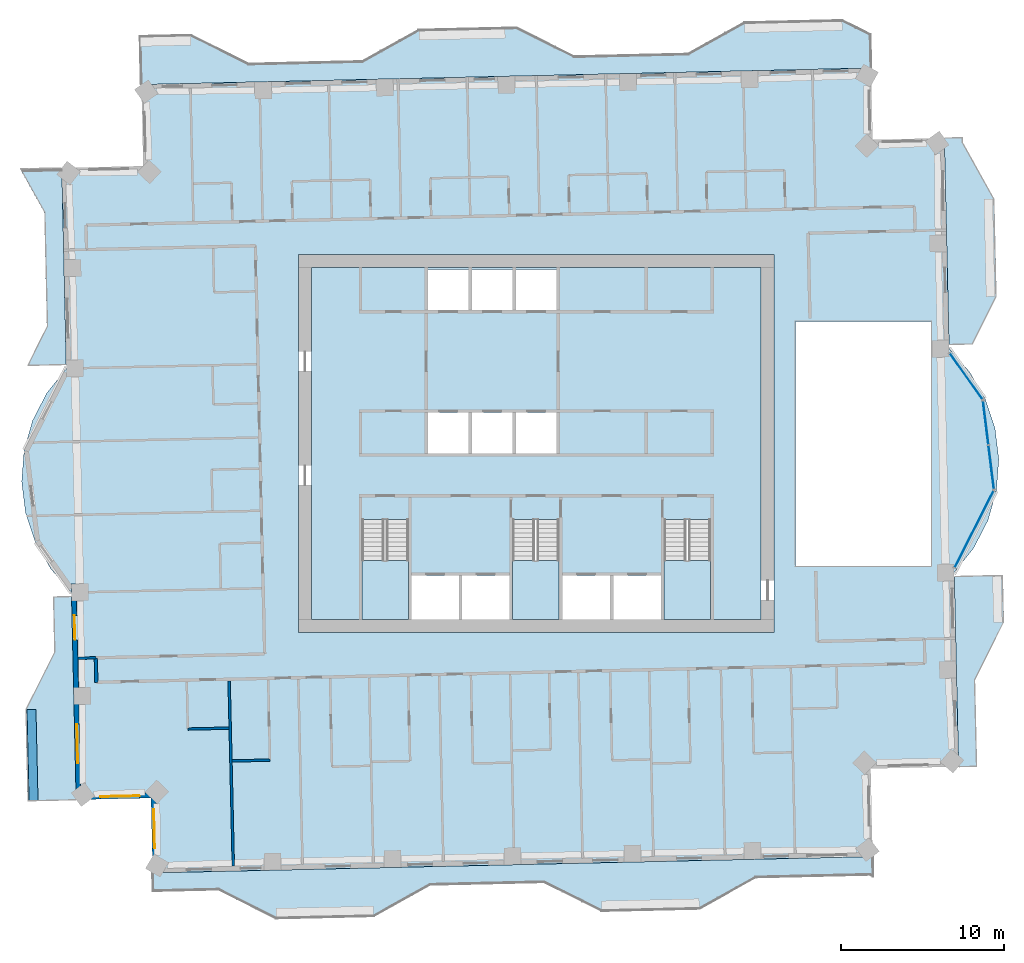
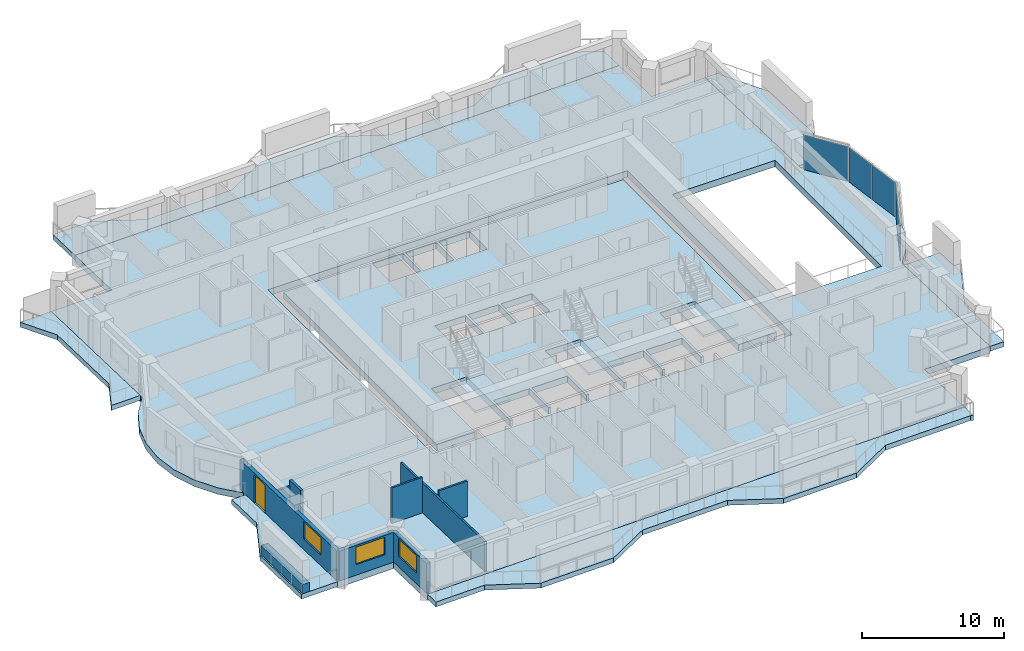
# One storey, part 5 of 17: 11 slabs, 9 walls, 4 plates, 3 windows, 1 door, 4 openings, 6 elements without a shape of their own.
"""IFC4 building model written with IfcOpenShell, lengths in metres."""

from ifc_helpers import new_model, si_unit, direction, frame, frame_2d, origin, origin_2d, place, context, subcontext, project, spatial, polyline, rectangle, outline, extrude, material, layer, layer_set, type_object, element, fill, aggregate, save


model = new_model("IFC4")

# Units and contexts
model_context = context("Model", 3, precision=1e-05, world=origin(), true_north=direction((0.0, 1.0)))
body_context = subcontext(model_context, "Body", "Model", "MODEL_VIEW")
ifc_project = project(units=[si_unit("LENGTHUNIT", "METRE"), si_unit("AREAUNIT", "SQUARE_METRE"), si_unit("VOLUMEUNIT", "CUBIC_METRE"), si_unit("PLANEANGLEUNIT", "RADIAN"), si_unit("MASSUNIT", "GRAM", prefix="KILO")], contexts=[model_context])

# Site, building, storey
site_placement = place(None, origin())
site = spatial("IfcSite", under=ifc_project, at=site_placement, CompositionType="ELEMENT")
building_placement = place(site_placement, origin())
building = spatial("IfcBuilding", under=site, at=building_placement, Name="Mangrove Gate Tower", CompositionType="ELEMENT")
storey_placement = place(building_placement, frame((0.0, 0.0, 245.5)))
storey = spatial("IfcBuildingStorey", under=building, at=storey_placement, Name="L62", CompositionType="ELEMENT", Elevation=245.5)

# Curtain wall, plate
ifc_material_1 = material(Name="Aluminium and glass curtain wall", Category="aluminium")
curtain_wall_type = type_object("IfcCurtainWallType", Name="Atrium garden-court glazing wall", PredefinedType="NOTDEFINED", material=ifc_material_1)
curtain_wall_1_placement = place(storey_placement, origin())
curtain_wall_1 = element("IfcCurtainWall", 1, at=curtain_wall_1_placement, inside=storey, type_object=curtain_wall_type, Name="Atrium garden-court glazing E1f1", PredefinedType="NOTDEFINED")
ifc_material_2 = material(Name="Laminated low-e glass", Category="glass")
ifc_layer_1 = layer(ifc_material_2, 0.031982421875)
ifc_layer_set_1 = layer_set([ifc_layer_1], Name="Atrium garden-court glazing panel 32")
plate_type = type_object("IfcPlateType", Name="Atrium garden-court glazing panel 32", PredefinedType="CURTAIN_PANEL", material=ifc_layer_set_1)
plate_1_placement = place(storey_placement, frame((26.87890625, -5.256591796875, 0.0), z_axis=(0.0, 0.0, 1.0), x_axis=(0.452597795636, 0.891714772439, 0.0)))
plate_1 = element("IfcPlate", 2, at=plate_1_placement, type_object=plate_type, Name="CWA panel 1.1", PredefinedType="CURTAIN_PANEL", context=body_context, shape_type="SweptSolid", body=[
    extrude(rectangle(XDim=5.258056640625, YDim=0.031982421875, at=origin_2d()), origin(), (0.0, 0.0, 1.0), 2.97998046875),
])
aggregate(curtain_wall_1, [plate_1])

# Curtain wall, plates
curtain_wall_2_placement = place(storey_placement, origin())
curtain_wall_2 = element("IfcCurtainWall", 3, at=curtain_wall_2_placement, inside=storey, type_object=curtain_wall_type, Name="Atrium garden-court glazing E1f2", PredefinedType="NOTDEFINED")
plate_2_placement = place(storey_placement, frame((27.92822265625, -1.449462890625, 0.0), z_axis=(0.0, 0.0, 1.0), x_axis=(-0.122172285885, 0.992508908051, 0.0)))
plate_2 = element("IfcPlate", 4, at=plate_2_placement, type_object=plate_type, Name="CWA panel 1.1", PredefinedType="CURTAIN_PANEL", context=body_context, shape_type="SweptSolid", body=[
    extrude(rectangle(XDim=2.681640625, YDim=0.031982421875, at=origin_2d()), origin(), (0.0, 0.0, 1.0), 2.97998046875),
])
plate_3_placement = place(storey_placement, frame((27.592041015625, 1.281494140625, 0.0), z_axis=(0.0, 0.0, 1.0), x_axis=(-0.122172285885, 0.992508908051, 0.0)))
plate_3 = element("IfcPlate", 5, at=plate_3_placement, type_object=plate_type, Name="CWA panel 2.1", PredefinedType="CURTAIN_PANEL", context=body_context, shape_type="SweptSolid", body=[
    extrude(rectangle(XDim=2.681640625, YDim=0.031982421875, at=origin_2d()), origin(), (0.0, 0.0, 1.0), 2.97998046875),
])
aggregate(curtain_wall_2, [plate_2, plate_3])

# Curtain wall, plate
curtain_wall_3_placement = place(storey_placement, origin())
curtain_wall_3 = element("IfcCurtainWall", 6, at=curtain_wall_3_placement, inside=storey, type_object=curtain_wall_type, Name="Atrium garden-court glazing E1f3", PredefinedType="NOTDEFINED")
plate_4_placement = place(storey_placement, frame((26.38818359375, 4.1376953125, 0.0), z_axis=(0.0, 0.0, 1.0), x_axis=(-0.578120908245, 0.815951110944, 0.0)))
plate_4 = element("IfcPlate", 7, at=plate_4_placement, type_object=plate_type, Name="CWA panel 1.1", PredefinedType="CURTAIN_PANEL", context=body_context, shape_type="SweptSolid", body=[
    extrude(rectangle(XDim=3.4287109375, YDim=0.031982421875, at=origin_2d()), origin(), (0.0, 0.0, 1.0), 2.97998046875),
])
aggregate(curtain_wall_3, [plate_4])

# Slabs
ifc_material_3 = material(Name="Porcelain tile")
ifc_layer_2 = layer(ifc_material_3, 0.02001953125, Name="Tile finish")
ifc_material_4 = material(Name="Cement sand screed")
ifc_layer_3 = layer(ifc_material_4, 0.0400390625, Name="Screed laid to falls")
ifc_material_5 = material(Name="Bituminous waterproofing membrane")
ifc_layer_4 = layer(ifc_material_5, 0.00390625, Name="Waterproofing")
ifc_material_6 = material(Name="Concrete C40/50", Category="concrete")
ifc_layer_5 = layer(ifc_material_6, 0.340087890625, Name="Balcony structural slab")
ifc_material_7 = material(Name="Limestone", Category="masonry")
ifc_layer_6 = layer(ifc_material_7, 0.01611328125, Name="Soffit lining")
ifc_layer_set_2 = layer_set([ifc_layer_2, ifc_layer_3, ifc_layer_4, ifc_layer_5, ifc_layer_6], Name="Balcony slab 420 C40/50")
slab_type_1 = type_object("IfcSlabType", Name="Balcony slab 420 C40/50", PredefinedType="FLOOR", material=ifc_layer_set_2)
slab_1_placement = place(storey_placement, frame((0.0, 0.0, -0.419921875)))
element("IfcSlab", 8, at=slab_1_placement, inside=storey, type_object=slab_type_1, Name="BALCONY L62 E0", PredefinedType="FLOOR", context=body_context, shape_type="SweptSolid", body=[
    extrude(outline(polyline([(27.06298828125, -19.803955078125), (26.943115234375, -14.506103515625), (28.712890625, -10.965087890625), (28.64794921875, -8.091064453125), (25.658935546875, -8.158935546875), (25.72412109375, -11.032958984375), (25.802978515625, -14.531982421875), (25.924072265625, -19.830078125), (27.06298828125, -19.803955078125)])), origin(), (0.0, 0.0, 1.0), 0.419921875),
])
slab_2_placement = place(storey_placement, frame((0.0, 0.0, -0.419921875)))
element("IfcSlab", 9, at=slab_2_placement, inside=storey, type_object=slab_type_1, Name="BALCONY L62 E1", PredefinedType="FLOOR", context=body_context, shape_type="SweptSolid", body=[
    extrude(outline(polyline([(26.805908203125, 6.1220703125), (28.259033203125, 9.030029296875), (28.123046875, 15.029052734375), (26.194091796875, 18.486083984375), (26.18798828125, 18.785888671875), (25.048095703125, 18.760009765625), (25.054931640625, 18.4599609375), (25.134033203125, 14.9609375), (25.27001953125, 8.9619140625), (25.3349609375, 6.087890625), (26.805908203125, 6.1220703125)])), origin(), (0.0, 0.0, 1.0), 0.419921875),
])
slab_3_placement = place(storey_placement, frame((0.0, 0.0, -0.419921875)))
element("IfcSlab", 10, at=slab_3_placement, inside=storey, type_object=slab_type_1, Name="BALCONY L62 N0", PredefinedType="FLOOR", context=body_context, shape_type="SweptSolid", body=[
    extrude(outline(polyline([(20.501953125, 25.14794921875), (18.778076171875, 26.009033203125), (12.779052734375, 25.873046875), (9.322021484375, 23.944091796875), (2.323974609375, 23.785888671875), (-1.217041015625, 25.555908203125), (-7.216064453125, 25.419921875), (-10.673095703125, 23.490966796875), (-17.6708984375, 23.3330078125), (-21.2119140625, 25.10205078125), (-24.31494140625, 25.031982421875), (-24.2470703125, 22.0419921875), (-7.14794921875, 22.429931640625), (-1.84912109375, 22.551025390625), (-1.14892578125, 22.56591796875), (20.549072265625, 23.05908203125), (20.501953125, 25.14794921875)])), origin(), (0.0, 0.0, 1.0), 0.419921875),
])
slab_4_placement = place(storey_placement, frame((0.0, 0.0, -0.419921875)))
element("IfcSlab", 11, at=slab_4_placement, inside=storey, type_object=slab_type_1, Name="BALCONY L62 W0", PredefinedType="FLOOR", context=body_context, shape_type="SweptSolid", body=[
    extrude(outline(polyline([(-31.698974609375, 16.8720703125), (-30.2109375, 14.205078125), (-30.052001953125, 7.20703125), (-31.2529296875, 4.803955078125), (-28.85888671875, 4.85888671875), (-28.9130859375, 7.23291015625), (-29.071044921875, 14.23095703125), (-29.133056640625, 16.929931640625), (-31.698974609375, 16.8720703125)])), origin(), (0.0, 0.0, 1.0), 0.419921875),
])
slab_5_placement = place(storey_placement, frame((0.0, 0.0, -0.419921875)))
element("IfcSlab", 12, at=slab_5_placement, inside=storey, type_object=slab_type_1, Name="BALCONY L62 W1", PredefinedType="FLOOR", context=body_context, shape_type="SweptSolid", body=[
    extrude(outline(polyline([(-29.675048828125, -9.4140625), (-29.59912109375, -12.7880859375), (-31.368896484375, -16.3291015625), (-31.241943359375, -21.927978515625), (-28.251953125, -21.860107421875), (-28.37890625, -16.260986328125), (-28.458984375, -12.761962890625), (-28.534912109375, -9.387939453125), (-29.675048828125, -9.4140625)])), origin(), (0.0, 0.0, 1.0), 0.419921875),
])
slab_6_placement = place(storey_placement, frame((0.0, 0.0, -0.419921875)))
element("IfcSlab", 13, at=slab_6_placement, inside=storey, type_object=slab_type_1, Name="BALCONY L62 S0", PredefinedType="FLOOR", context=body_context, shape_type="SweptSolid", body=[
    extrude(outline(polyline([(-23.52294921875, -27.493896484375), (-19.52001953125, -27.403076171875), (-15.97900390625, -29.173095703125), (-9.98095703125, -29.037109375), (-6.52392578125, -27.10791015625), (-1.425048828125, -26.992919921875), (0.47509765625, -26.949951171875), (4.01611328125, -28.719970703125), (10.013916015625, -28.5830078125), (13.470947265625, -26.655029296875), (20.468994140625, -26.4970703125), (20.676025390625, -26.59912109375), (20.64697265625, -25.35107421875), (-6.550048828125, -25.968994140625), (-23.549072265625, -26.35400390625), (-23.52294921875, -27.493896484375)])), origin(), (0.0, 0.0, 1.0), 0.419921875),
])
ifc_material_8 = material(Name="Concrete C40/50", Category="concrete")
ifc_layer_7 = layer(ifc_material_8, 0.550048828125)
ifc_layer_set_3 = layer_set([ifc_layer_7], Name="Core floor slab 550 C40/50")
slab_type_2 = type_object("IfcSlabType", Name="Core floor slab 550 C40/50", PredefinedType="FLOOR", material=ifc_layer_set_3)
slab_7_placement = place(storey_placement, frame((0.0, 0.0, -0.550048828125)))
element("IfcSlab", 14, at=slab_7_placement, inside=storey, type_object=slab_type_2, Name="SLAB-L62-CORE-1", PredefinedType="FLOOR", context=body_context, shape_type="SweptSolid", body=[
    extrude(outline(polyline([(-13.800048828125, -10.800048828125), (-13.800048828125, 10.800048828125), (13.800048828125, 10.800048828125), (13.800048828125, -10.800048828125), (10.699951171875, -10.800048828125), (10.699951171875, -4.653076171875), (7.85009765625, -4.653076171875), (7.85009765625, -10.800048828125), (7.64990234375, -10.800048828125), (7.64990234375, -8.10009765625), (4.72509765625, -8.10009765625), (4.72509765625, -10.800048828125), (4.52490234375, -10.800048828125), (4.52490234375, -8.10009765625), (1.60009765625, -8.10009765625), (1.60009765625, -10.800048828125), (1.39990234375, -10.800048828125), (1.39990234375, -4.653076171875), (-1.449951171875, -4.653076171875), (-1.449951171875, -10.800048828125), (-1.64990234375, -10.800048828125), (-1.64990234375, -8.10009765625), (-4.550048828125, -8.10009765625), (-4.550048828125, -10.800048828125), (-4.75, -10.800048828125), (-4.75, -8.10009765625), (-7.64990234375, -8.10009765625), (-7.64990234375, -10.800048828125), (-7.85009765625, -10.800048828125), (-7.85009765625, -4.653076171875), (-10.699951171875, -4.653076171875), (-10.699951171875, -10.800048828125), (-13.800048828125, -10.800048828125)]), holes=[polyline([(-4.14990234375, 1.89990234375), (-6.64990234375, 1.89990234375), (-6.64990234375, -0.60009765625), (-4.14990234375, -0.60009765625), (-4.14990234375, 1.89990234375)]), polyline([(-1.449951171875, -0.60009765625), (-1.449951171875, 1.89990234375), (-3.949951171875, 1.89990234375), (-3.949951171875, -0.60009765625), (-1.449951171875, -0.60009765625)]), polyline([(-4.14990234375, 8.199951171875), (-4.14990234375, 10.699951171875), (-6.64990234375, 10.699951171875), (-6.64990234375, 8.199951171875), (-4.14990234375, 8.199951171875)]), polyline([(-1.449951171875, 10.699951171875), (-3.949951171875, 10.699951171875), (-3.949951171875, 8.199951171875), (-1.449951171875, 8.199951171875), (-1.449951171875, 10.699951171875)]), polyline([(1.25, -0.60009765625), (1.25, 1.89990234375), (-1.25, 1.89990234375), (-1.25, -0.60009765625), (1.25, -0.60009765625)]), polyline([(1.25, 8.199951171875), (1.25, 10.699951171875), (-1.25, 10.699951171875), (-1.25, 8.199951171875), (1.25, 8.199951171875)])]), origin(), (0.0, 0.0, 1.0), 0.550048828125),
])

# Stair, slab
ifc_material_9 = material(Name="Concrete C40/50", Category="concrete")
stair_type = type_object("IfcStairType", Name="Core stair 1350", PredefinedType="HALF_TURN_STAIR", material=ifc_material_9)
stair_1_placement = place(storey_placement, origin())
stair_1 = element("IfcStair", 15, at=stair_1_placement, inside=storey, type_object=stair_type, Name="L62 Stair 1", PredefinedType="HALF_TURN_STAIR")
ifc_material_10 = material(Name="Concrete C40/50", Category="concrete")
ifc_layer_8 = layer(ifc_material_10, 0.199951171875)
ifc_layer_set_4 = layer_set([ifc_layer_8], Name="Core stair landing 200")
slab_type_3 = type_object("IfcSlabType", Name="Core stair landing 200", PredefinedType="LANDING", material=ifc_layer_set_4)
slab_8_placement = place(storey_placement, frame((0.0, 0.0, 1.60009765625)))
slab_8 = element("IfcSlab", 16, at=slab_8_placement, type_object=slab_type_3, Name="ST1 landing 1", PredefinedType="LANDING", context=body_context, shape_type="SweptSolid", body=[
    extrude(outline(polyline([(-10.699951171875, -7.169921875), (-10.699951171875, -10.800048828125), (-7.85009765625, -10.800048828125), (-7.85009765625, -7.169921875), (-10.699951171875, -7.169921875)])), origin(), (0.0, 0.0, 1.0), 0.199951171875),
])
aggregate(stair_1, [slab_8])

stair_2_placement = place(storey_placement, origin())
stair_2 = element("IfcStair", 17, at=stair_2_placement, inside=storey, type_object=stair_type, Name="L62 Stair 2", PredefinedType="HALF_TURN_STAIR")
slab_9_placement = place(storey_placement, frame((0.0, 0.0, 1.60009765625)))
slab_9 = element("IfcSlab", 18, at=slab_9_placement, type_object=slab_type_3, Name="ST2 landing 1", PredefinedType="LANDING", context=body_context, shape_type="SweptSolid", body=[
    extrude(outline(polyline([(-1.449951171875, -7.169921875), (-1.449951171875, -10.800048828125), (1.39990234375, -10.800048828125), (1.39990234375, -7.169921875), (-1.449951171875, -7.169921875)])), origin(), (0.0, 0.0, 1.0), 0.199951171875),
])
aggregate(stair_2, [slab_9])

stair_3_placement = place(storey_placement, origin())
stair_3 = element("IfcStair", 19, at=stair_3_placement, inside=storey, type_object=stair_type, Name="L62 Stair 3", PredefinedType="HALF_TURN_STAIR")
slab_10_placement = place(storey_placement, frame((0.0, 0.0, 1.60009765625)))
slab_10 = element("IfcSlab", 20, at=slab_10_placement, type_object=slab_type_3, Name="ST3 landing 1", PredefinedType="LANDING", context=body_context, shape_type="SweptSolid", body=[
    extrude(outline(polyline([(7.85009765625, -7.169921875), (7.85009765625, -10.800048828125), (10.699951171875, -10.800048828125), (10.699951171875, -7.169921875), (7.85009765625, -7.169921875)])), origin(), (0.0, 0.0, 1.0), 0.199951171875),
])
aggregate(stair_3, [slab_10])

# Slab
ifc_material_11 = material(Name="Concrete C40/50", Category="concrete")
ifc_layer_9 = layer(ifc_material_11, 0.550048828125)
ifc_layer_set_5 = layer_set([ifc_layer_9], Name="Floor slab 550 C40/50")
slab_type_4 = type_object("IfcSlabType", Name="Floor slab 550 C40/50", PredefinedType="FLOOR", material=ifc_layer_set_5)
slab_11_placement = place(storey_placement, frame((0.0, 0.0, -0.550048828125)))
element("IfcSlab", 21, at=slab_11_placement, inside=storey, type_object=slab_type_4, Name="Floor slab L62", PredefinedType="FLOOR", context=body_context, shape_type="SweptSolid", body=[
    extrude(outline(polyline([(-23.549072265625, -26.354248046875), (20.6474609375, -25.351318359375), (20.52490234375, -19.95263671875), (25.923583984375, -19.830322265625), (25.653076171875, -7.90869140625), (26.849609375, -6.416259765625), (27.7265625, -4.71630859375), (28.2490234375, -2.87646484375), (28.396240234375, -0.96923828125), (28.16259765625, 0.92919921875), (27.55712890625, 2.74365234375), (26.60400390625, 4.40185546875), (25.341064453125, 5.83837890625), (25.0478515625, 18.759765625), (20.64892578125, 18.659912109375), (20.549072265625, 23.058837890625), (-24.247314453125, 22.042236328125), (-24.1337890625, 17.04345703125), (-29.132568359375, 16.93017578125), (-28.85302734375, 4.608642578125), (-30.049560546875, 3.1162109375), (-30.926513671875, 1.41650390625), (-31.448974609375, -0.423583984375), (-31.59619140625, -2.330810546875), (-31.362548828125, -4.229248046875), (-30.757080078125, -6.043701171875), (-29.803955078125, -7.701904296875), (-28.541015625, -9.138427734375), (-28.25244140625, -21.85986328125), (-23.653564453125, -21.755615234375), (-23.549072265625, -26.354248046875)]), holes=[polyline([(15.89990234375, 7.5), (24.22705078125, 7.5), (24.22705078125, -7.5), (15.89990234375, -7.5), (15.89990234375, 7.5)]), polyline([(-14.60009765625, -11.60009765625), (-14.60009765625, 11.60009765625), (14.60009765625, 11.60009765625), (14.60009765625, -11.60009765625), (-14.60009765625, -11.60009765625)])]), origin(), (0.0, 0.0, 1.0), 0.550048828125),
])

# Wall
ifc_material_12 = material(Name="Gypsum board on steel stud, EI 60", Category="steel")
ifc_layer_10 = layer(ifc_material_12, 0.199951171875)
ifc_layer_set_6 = layer_set([ifc_layer_10], Name="Corridor wall EI 60")
wall_type_1 = type_object("IfcWallType", Name="Corridor wall EI 60", PredefinedType="PARTITIONING", material=ifc_layer_set_6)
wall_1_placement = place(storey_placement, frame((-27.011962890625, -14.654052734375, 0.0), z_axis=(0.0, 0.0, 1.0), x_axis=(-0.022617910375, 0.999744182344, 0.0)))
element("IfcWall", 22, at=wall_1_placement, inside=storey, type_object=wall_type_1, Name="WALL-L62-030", PredefinedType="PARTITIONING", context=body_context, shape_type="SweptSolid", body=[
    extrude(rectangle(XDim=1.50048828125, YDim=0.199951171875, at=frame_2d((0.750244140625, 0.0))), origin(), (0.0, 0.0, 1.0), 3.050048828125),
])

# Wall, openings, door, window
ifc_layer_11 = layer(ifc_material_7, 0.0400390625, Name="Limestone cladding")
ifc_material_13 = material(Name="Ventilated air gap")
ifc_layer_12 = layer(ifc_material_13, 0.0400390625, Name="Ventilated cavity")
ifc_material_14 = material(Name="Mineral wool insulation")
ifc_layer_13 = layer(ifc_material_14, 0.06005859375, Name="Insulation")
ifc_material_15 = material(Name="Breather membrane")
ifc_layer_14 = layer(ifc_material_15, 0.001953125, Name="Breather membrane")
ifc_material_16 = material(Name="Concrete C20/25 blockwork", Category="masonry")
ifc_layer_15 = layer(ifc_material_16, 0.14990234375, Name="Blockwork backing wall")
ifc_material_17 = material(Name="Gypsum plaster")
ifc_layer_16 = layer(ifc_material_17, 0.008056640625, Name="Internal plaster")
ifc_layer_set_7 = layer_set([ifc_layer_11, ifc_layer_12, ifc_layer_13, ifc_layer_14, ifc_layer_15, ifc_layer_16], Name="External wall 300 limestone cladding")
wall_type_2 = type_object("IfcWallType", Name="External wall 300 limestone cladding", PredefinedType="SOLIDWALL", material=ifc_layer_set_7)
wall_2_placement = place(storey_placement, frame((-28.403076171875, -8.610107421875, 0.0), z_axis=(0.0, 0.0, 1.0), x_axis=(0.022680342038, -0.999742767958, 0.0)))
wall_2 = element("IfcWall", 23, at=wall_2_placement, inside=storey, type_object=wall_type_2, Name="WALL-L62-W10s1", PredefinedType="SOLIDWALL", context=body_context, shape_type="SweptSolid", body=[
    extrude(rectangle(XDim=13.100341796875, YDim=0.300048828125, at=frame_2d((6.55029296875, 0.0))), origin(), (0.0, 0.0, 1.0), 2.550048828125),
])
opening_1_placement = place(wall_2_placement, frame((1.93701171875, 0.0, 0.0)))
opening_1 = element("IfcOpeningElement", 24, at=opening_1_placement, cuts=wall_2, Name="Opening BD1", PredefinedType="OPENING", context=body_context, shape_type="SweptSolid", body=[
    extrude(rectangle(XDim=1.5, YDim=2.39990234375, at=frame_2d((0.75, 1.199951171875))), frame((0.0, 0.159912109375, 0.0), z_axis=(0.0, -1.0, 0.0), x_axis=(1.0, 0.0, 0.0)), (0.0, 0.0, 1.0), 0.320068359375),
])
opening_2_placement = place(wall_2_placement, frame((8.611083984375, 0.0, 0.89990234375)))
opening_2 = element("IfcOpeningElement", 25, at=opening_2_placement, cuts=wall_2, Name="Opening W2", PredefinedType="OPENING", context=body_context, shape_type="SweptSolid", body=[
    extrude(rectangle(XDim=2.39990234375, YDim=1.5, at=frame_2d((1.199951171875, 0.75))), frame((0.0, 0.159912109375, 0.0), z_axis=(0.0, -1.0, 0.0), x_axis=(1.0, 0.0, 0.0)), (0.0, 0.0, 1.0), 0.320068359375),
])
ifc_material_18 = material(Name="Aluminium frame with laminated clear glass", Category="aluminium")
door_type = type_object("IfcDoorType", Name="Balcony sliding door 1500x2400", OperationType="SLIDING_TO_LEFT", PredefinedType="DOOR", material=ifc_material_18)
door_placement = place(opening_1_placement, origin())
door = element("IfcDoor", 26, at=door_placement, inside=storey, type_object=door_type, Name="DOOR-L62-W10-1", OperationType="SLIDING_TO_LEFT", OverallHeight=2.39990234375, OverallWidth=1.5, PredefinedType="DOOR", context=body_context, shape_type="SweptSolid", body=[
    extrude(rectangle(XDim=1.5, YDim=2.39990234375, at=frame_2d((0.75, 1.199951171875))), frame((0.0, 0.02490234375, 0.0), z_axis=(0.0, -1.0, 0.0), x_axis=(1.0, 0.0, 0.0)), (0.0, 0.0, 1.0), 0.050048828125),
])
fill(opening_1, door)
ifc_material_19 = material(Name="Aluminium frame with double-glazed low-e glass", Category="aluminium")
window_type = type_object("IfcWindowType", Name="Corner room window 2400x1500", PartitioningType="DOUBLE_PANEL_VERTICAL", PredefinedType="WINDOW", material=ifc_material_19)
window_1_placement = place(opening_2_placement, origin())
window_1 = element("IfcWindow", 27, at=window_1_placement, inside=storey, type_object=window_type, Name="WIN-L62-W10-2", OverallHeight=1.5, OverallWidth=2.39990234375, PartitioningType="DOUBLE_PANEL_VERTICAL", PredefinedType="WINDOW", context=body_context, shape_type="SweptSolid", body=[
    extrude(rectangle(XDim=2.39990234375, YDim=1.5, at=frame_2d((1.199951171875, 0.75))), frame((0.0, 0.030029296875, 0.0), z_axis=(0.0, -1.0, 0.0), x_axis=(1.0, 0.0, 0.0)), (0.0, 0.0, 1.0), 0.06005859375),
])
fill(opening_2, window_1)

# Wall, opening, window
wall_3_placement = place(storey_placement, frame((-28.10595703125, -21.70703125, 0.0), z_axis=(0.0, 0.0, 1.0), x_axis=(0.999739556364, 0.022821468877, 0.0)))
wall_3 = element("IfcWall", 28, at=wall_3_placement, inside=storey, type_object=wall_type_2, Name="WALL-L62-S11", PredefinedType="SOLIDWALL", context=body_context, shape_type="SweptSolid", body=[
    extrude(rectangle(XDim=4.60009765625, YDim=0.300048828125, at=frame_2d((2.300048828125, 0.0))), origin(), (0.0, 0.0, 1.0), 2.550048828125),
])
opening_3_placement = place(wall_3_placement, frame((1.343994140625, 0.0, 0.89990234375)))
opening_3 = element("IfcOpeningElement", 29, at=opening_3_placement, cuts=wall_3, Name="Opening W2", PredefinedType="OPENING", context=body_context, shape_type="SweptSolid", body=[
    extrude(rectangle(XDim=2.39990234375, YDim=1.5, at=frame_2d((1.199951171875, 0.75))), frame((0.0, 0.159912109375, 0.0), z_axis=(0.0, -1.0, 0.0), x_axis=(1.0, 0.0, 0.0)), (0.0, 0.0, 1.0), 0.320068359375),
])
window_2_placement = place(opening_3_placement, origin())
window_2 = element("IfcWindow", 30, at=window_2_placement, inside=storey, type_object=window_type, Name="WIN-L62-S11-1", OverallHeight=1.5, OverallWidth=2.39990234375, PartitioningType="DOUBLE_PANEL_VERTICAL", PredefinedType="WINDOW", context=body_context, shape_type="SweptSolid", body=[
    extrude(rectangle(XDim=2.39990234375, YDim=1.5, at=frame_2d((1.199951171875, 0.75))), frame((0.0, 0.030029296875, 0.0), z_axis=(0.0, -1.0, 0.0), x_axis=(1.0, 0.0, 0.0)), (0.0, 0.0, 1.0), 0.06005859375),
])
fill(opening_3, window_2)

wall_4_placement = place(storey_placement, frame((-23.507080078125, -21.60205078125, 0.0), z_axis=(0.0, 0.0, 1.0), x_axis=(0.022609285172, -0.999744377441, 0.0)))
wall_4 = element("IfcWall", 31, at=wall_4_placement, inside=storey, type_object=wall_type_2, Name="WALL-L62-W12", PredefinedType="SOLIDWALL", context=body_context, shape_type="SweptSolid", body=[
    extrude(rectangle(XDim=4.60009765625, YDim=0.300048828125, at=frame_2d((2.300048828125, 0.0))), origin(), (0.0, 0.0, 1.0), 2.550048828125),
])
opening_4_placement = place(wall_4_placement, frame((0.85107421875, 0.0, 0.89990234375)))
opening_4 = element("IfcOpeningElement", 32, at=opening_4_placement, cuts=wall_4, Name="Opening W2", PredefinedType="OPENING", context=body_context, shape_type="SweptSolid", body=[
    extrude(rectangle(XDim=2.39990234375, YDim=1.5, at=frame_2d((1.199951171875, 0.75))), frame((0.0, 0.159912109375, 0.0), z_axis=(0.0, -1.0, 0.0), x_axis=(1.0, 0.0, 0.0)), (0.0, 0.0, 1.0), 0.320068359375),
])
window_3_placement = place(opening_4_placement, origin())
window_3 = element("IfcWindow", 33, at=window_3_placement, inside=storey, type_object=window_type, Name="WIN-L62-W12-1", OverallHeight=1.5, OverallWidth=2.39990234375, PartitioningType="DOUBLE_PANEL_VERTICAL", PredefinedType="WINDOW", context=body_context, shape_type="SweptSolid", body=[
    extrude(rectangle(XDim=2.39990234375, YDim=1.5, at=frame_2d((1.199951171875, 0.75))), frame((0.0, 0.030029296875, 0.0), z_axis=(0.0, -1.0, 0.0), x_axis=(1.0, 0.0, 0.0)), (0.0, 0.0, 1.0), 0.06005859375),
])
fill(opening_4, window_3)

# Walls
ifc_material_20 = material(Name="Gypsum board on steel stud, EI 60", Category="steel")
ifc_layer_17 = layer(ifc_material_20, 0.14990234375)
ifc_layer_set_8 = layer_set([ifc_layer_17], Name="Party wall 150 EI 60")
wall_type_3 = type_object("IfcWallType", Name="Party wall 150 EI 60", PredefinedType="PARTITIONING", material=ifc_layer_set_8)
wall_5_placement = place(storey_placement, frame((-18.60302734375, -25.94189453125, 0.0), z_axis=(0.0, 0.0, 1.0), x_axis=(-0.022684842063, 0.99974266586, 0.0)))
element("IfcWall", 34, at=wall_5_placement, inside=storey, type_object=wall_type_3, Name="WALL-L62-001", PredefinedType="PARTITIONING", context=body_context, shape_type="SweptSolid", body=[
    extrude(rectangle(XDim=11.375732421875, YDim=0.14990234375, at=frame_2d((5.68798828125, 0.0))), origin(), (0.0, 0.0, 1.0), 2.550048828125),
])
wall_6_placement = place(storey_placement, frame((-18.678955078125, -19.48193359375, 0.0), z_axis=(0.0, 0.0, 1.0), x_axis=(0.999740478815, 0.022781023197, 0.0)))
element("IfcWall", 35, at=wall_6_placement, inside=storey, type_object=wall_type_3, Name="WALL-L62-023", PredefinedType="PARTITIONING", context=body_context, shape_type="SweptSolid", body=[
    extrude(rectangle(XDim=2.325439453125, YDim=0.14990234375, at=frame_2d((1.16259765625, 0.0))), origin(), (0.0, 0.0, 1.0), 3.050048828125),
])
wall_7_placement = place(storey_placement, frame((-21.39892578125, -17.52294921875, 0.0), z_axis=(0.0, 0.0, 1.0), x_axis=(0.9997461113, 0.022532486354, 0.0)))
element("IfcWall", 36, at=wall_7_placement, inside=storey, type_object=wall_type_3, Name="WALL-L62-027", PredefinedType="PARTITIONING", context=body_context, shape_type="SweptSolid", body=[
    extrude(rectangle(XDim=2.524658203125, YDim=0.14990234375, at=frame_2d((1.26220703125, 0.0))), origin(), (0.0, 0.0, 1.0), 3.050048828125),
])
wall_8_placement = place(storey_placement, frame((-28.14892578125, -13.175048828125, 0.0), z_axis=(0.0, 0.0, 1.0), x_axis=(0.999740233734, 0.022791776024, 0.0)))
element("IfcWall", 37, at=wall_8_placement, inside=storey, type_object=wall_type_3, Name="WALL-L62-035", PredefinedType="PARTITIONING", context=body_context, shape_type="SweptSolid", body=[
    extrude(rectangle(XDim=1.103271484375, YDim=0.14990234375, at=frame_2d((0.5517578125, 0.0))), origin(), (0.0, 0.0, 1.0), 2.550048828125),
])
ifc_material_21 = material(Name="Concrete C32/40", Category="concrete")
ifc_layer_18 = layer(ifc_material_21, 0.199951171875, Name="Planter trough wall")
ifc_layer_19 = layer(ifc_material_5, 0.0048828125, Name="Waterproofing")
ifc_material_22 = material(Name="Drainage board and gravel")
ifc_layer_20 = layer(ifc_material_22, 0.044921875, Name="Drainage layer")
ifc_material_23 = material(Name="Planting soil")
ifc_layer_21 = layer(ifc_material_23, 0.300048828125, Name="Growing medium")
ifc_layer_set_9 = layer_set([ifc_layer_18, ifc_layer_19, ifc_layer_20, ifc_layer_21], Name="Planter wall 550 C32/40")
wall_type_4 = type_object("IfcWallType", Name="Planter wall 550 C32/40", PredefinedType="USERDEFINED", material=ifc_layer_set_9)
wall_9_placement = place(storey_placement, frame((-30.866943359375, -21.9189453125, 0.0), z_axis=(0.0, 0.0, 1.0), x_axis=(-0.022672873977, 0.999742937352, 0.0)))
element("IfcWall", 38, at=wall_9_placement, inside=storey, type_object=wall_type_4, Name="PLANTER L62 W1.1", ObjectType="PLANTER", PredefinedType="USERDEFINED", context=body_context, shape_type="SweptSolid", body=[
    extrude(rectangle(XDim=5.599365234375, YDim=0.550048828125, at=frame_2d((2.7998046875, 0.0))), origin(), (0.0, 0.0, 1.0), 0.800048828125),
])

save(model, "model.ifc")
